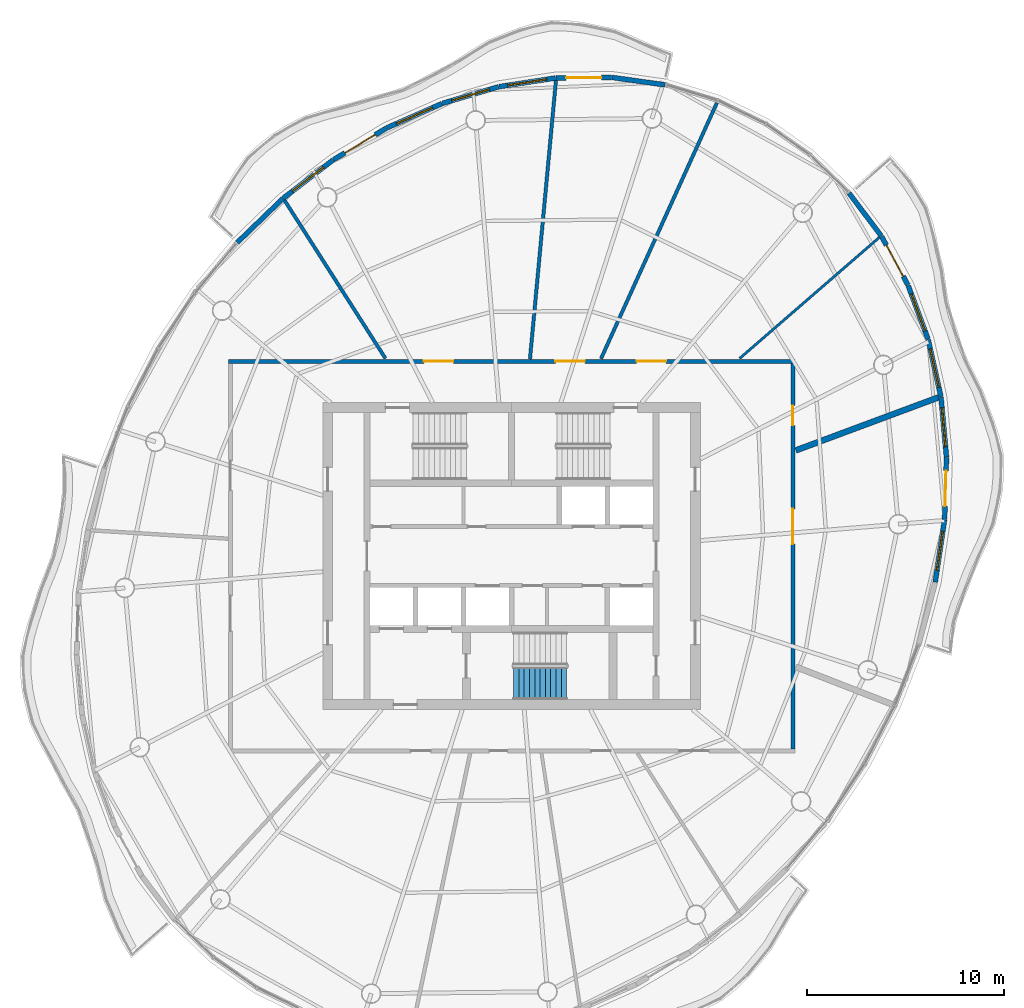
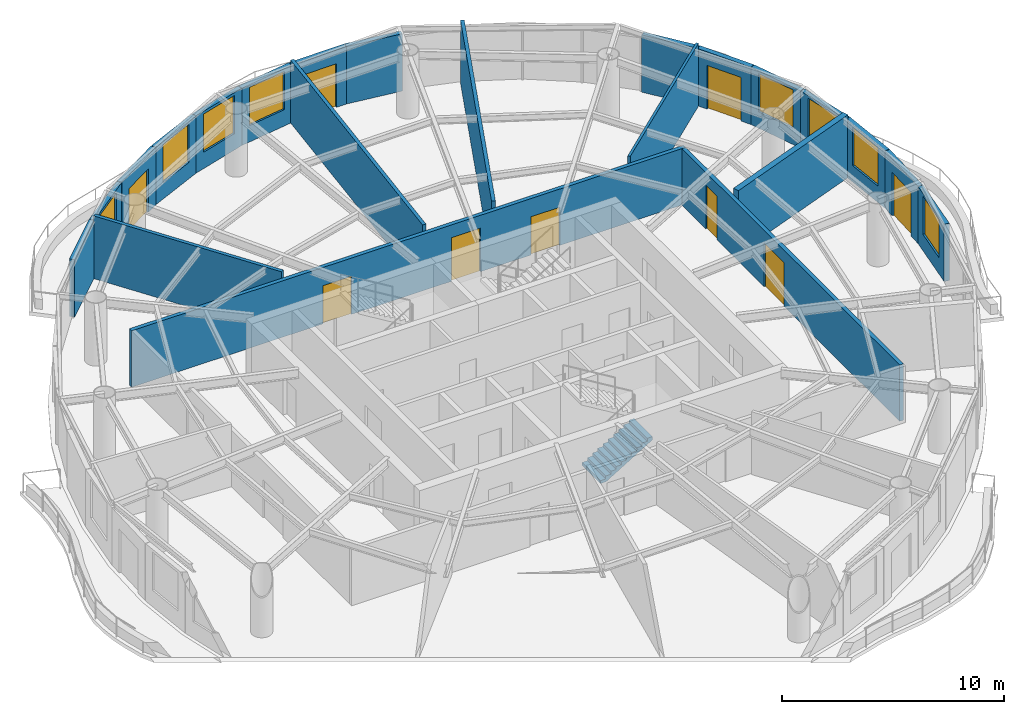
# One storey, part 9 of 13: 22 walls, 9 doors, 8 windows, 1 stair flight, 17 openings, 1 element without a shape of its own.
"""IFC4 building model written with IfcOpenShell, lengths in metres."""

from ifc_helpers import new_model, si_unit, direction, frame, frame_2d, origin, place, context, subcontext, project, spatial, polyline, rectangle, outline, extrude, material, layer, layer_set, type_object, element, fill, aggregate, save


model = new_model("IFC4")

# Units and contexts
model_context = context("Model", 3, precision=1e-05, world=origin(), true_north=direction((0.0, 1.0)))
body_context = subcontext(model_context, "Body", "Model", "MODEL_VIEW")
ifc_project = project(units=[si_unit("LENGTHUNIT", "METRE"), si_unit("AREAUNIT", "SQUARE_METRE"), si_unit("VOLUMEUNIT", "CUBIC_METRE"), si_unit("PLANEANGLEUNIT", "RADIAN"), si_unit("MASSUNIT", "GRAM", prefix="KILO")], contexts=[model_context])

# Site, building, storey
site_placement = place(None, origin())
site = spatial("IfcSite", under=ifc_project, at=site_placement, CompositionType="ELEMENT")
building_placement = place(site_placement, origin())
building = spatial("IfcBuilding", under=site, at=building_placement, Name="Vermilion Reach Broadcast Tower", CompositionType="ELEMENT")
storey_placement = place(building_placement, frame((0.0, 0.0, 272.10009765625)))
storey = spatial("IfcBuildingStorey", under=building, at=storey_placement, Name="L67", CompositionType="ELEMENT", Elevation=272.10009765625)

# Walls
ifc_material_1 = material(Name="Fire-rated plasterboard on steel stud", Category="steel")
ifc_layer_1 = layer(ifc_material_1, 0.125)
ifc_layer_set_1 = layer_set([ifc_layer_1], Name="Partition 125 fire-rated stud")
wall_type_1 = type_object("IfcWallType", Name="Partition 125 fire-rated stud", PredefinedType="PARTITIONING", material=ifc_layer_set_1)
wall_1_placement = place(storey_placement, frame((12.698486328125, 16.20263671875, 0.0), z_axis=(0.0, 0.0, 1.0), x_axis=(-0.75573450221, -0.654878127723, 0.0)))
element("IfcWall", 1, at=wall_1_placement, inside=storey, type_object=wall_type_1, Name="Partition 67.11", PredefinedType="PARTITIONING", context=body_context, shape_type="SweptSolid", body=[
    extrude(rectangle(XDim=9.3994140625, YDim=0.125, at=frame_2d((4.69970703125, 0.0))), origin(), (0.0, 0.0, 1.0), 3.449951171875),
])
ifc_material_2 = material(Name="Fire-rated block, plastered")
ifc_layer_2 = layer(ifc_material_2, 0.175048828125)
ifc_layer_set_2 = layer_set([ifc_layer_2], Name="Partition 175 fire-rated block")
wall_type_2 = type_object("IfcWallType", Name="Partition 175 fire-rated block", PredefinedType="PARTITIONING", material=ifc_layer_set_2)
wall_2_placement = place(storey_placement, frame((4.43798828125, 23.03955078125, 0.0), z_axis=(0.0, 0.0, 1.0), x_axis=(-0.412668744216, -0.910881170926, 0.0)))
element("IfcWall", 2, at=wall_2_placement, inside=storey, type_object=wall_type_2, Name="Partition 67.01", PredefinedType="PARTITIONING", context=body_context, shape_type="SweptSolid", body=[
    extrude(rectangle(XDim=14.275634765625, YDim=0.175048828125, at=frame_2d((7.1376953125, 0.0))), origin(), (0.0, 0.0, 1.0), 3.449951171875),
])
wall_3_placement = place(storey_placement, frame((-3.74267578125, 24.18505859375, 0.0), z_axis=(0.0, 0.0, 1.0), x_axis=(-0.092933304547, -0.995672336116, 0.0)))
element("IfcWall", 3, at=wall_3_placement, inside=storey, type_object=wall_type_2, Name="Partition 67.02", PredefinedType="PARTITIONING", context=body_context, shape_type="SweptSolid", body=[
    extrude(rectangle(XDim=14.238525390625, YDim=0.175048828125, at=frame_2d((7.119140625, 0.0))), origin(), (0.0, 0.0, 1.0), 3.449951171875),
])
wall_4_placement = place(storey_placement, frame((-17.543212890625, 18.087646484375, 0.0), z_axis=(0.0, 0.0, 1.0), x_axis=(0.537968123853, -0.842965181795, 0.0)))
element("IfcWall", 4, at=wall_4_placement, inside=storey, type_object=wall_type_2, Name="Partition 67.03", PredefinedType="PARTITIONING", context=body_context, shape_type="SweptSolid", body=[
    extrude(rectangle(XDim=9.538330078125, YDim=0.175048828125, at=frame_2d((4.76904296875, 0.0))), origin(), (0.0, 0.0, 1.0), 3.449951171875),
])
ifc_material_3 = material(Name="Double-leaf plasterboard on isolated steel stud", Category="steel")
ifc_layer_3 = layer(ifc_material_3, 0.300048828125)
ifc_layer_set_3 = layer_set([ifc_layer_3], Name="Partition 300 acoustic double leaf")
wall_type_3 = type_object("IfcWallType", Name="Partition 300 acoustic double leaf", PredefinedType="PARTITIONING", material=ifc_layer_set_3)
wall_5_placement = place(storey_placement, frame((15.709228515625, 8.071044921875, 0.0), z_axis=(0.0, 0.0, 1.0), x_axis=(-0.937315535256, -0.348481832193, 0.0)))
element("IfcWall", 5, at=wall_5_placement, inside=storey, type_object=wall_type_3, Name="Partition 67.10", PredefinedType="PARTITIONING", context=body_context, shape_type="SweptSolid", body=[
    extrude(rectangle(XDim=7.7421875, YDim=0.300048828125, at=frame_2d((3.87109375, 0.0))), origin(), (0.0, 0.0, 1.0), 3.449951171875),
])
ifc_material_4 = material(Name="Terracotta rainscreen cladding", Category="masonry")
ifc_layer_4 = layer(ifc_material_4, 0.25)
ifc_layer_set_4 = layer_set([ifc_layer_4], Name="Terracotta rainscreen wall 250")
wall_type_4 = type_object("IfcWallType", Name="Terracotta rainscreen wall 250", PredefinedType="SOLIDWALL", material=ifc_layer_set_4)
wall_6_placement = place(storey_placement, frame((1.803466796875, 23.958251953125, 0.0), z_axis=(0.0, 0.0, 1.0), x_axis=(-0.99032300217, 0.138781667998, 0.0)))
element("IfcWall", 6, at=wall_6_placement, inside=storey, type_object=wall_type_4, Name="External wall L67 02", PredefinedType="SOLIDWALL", context=body_context, shape_type="SweptSolid", body=[
    extrude(rectangle(XDim=2.7197265625, YDim=0.25, at=frame_2d((1.35986328125, 0.0))), origin(), (0.0, 0.0, 1.0), 3.14990234375),
])

# Wall, opening, door
wall_7_placement = place(storey_placement, frame((-0.916259765625, 24.33740234375, 0.0), z_axis=(0.0, 0.0, 1.0), x_axis=(-0.999952276814, -0.009769549307, 0.0)))
wall_7 = element("IfcWall", 7, at=wall_7_placement, inside=storey, type_object=wall_type_4, Name="External wall L67 03", PredefinedType="SOLIDWALL", context=body_context, shape_type="SweptSolid", body=[
    extrude(rectangle(XDim=2.823974609375, YDim=0.25, at=frame_2d((1.412109375, 0.0))), origin(), (0.0, 0.0, 1.0), 3.14990234375),
])
opening_1_placement = place(wall_7_placement, frame((0.511962890625, 0.0, 0.0)))
opening_1 = element("IfcOpeningElement", 8, at=opening_1_placement, cuts=wall_7, Name="Opening D70", PredefinedType="OPENING", context=body_context, shape_type="SweptSolid", body=[
    extrude(rectangle(XDim=1.800048828125, YDim=2.39990234375, at=frame_2d((0.89990234375, 1.199951171875))), frame((0.0, 0.135009765625, 0.0), z_axis=(0.0, -1.0, 0.0), x_axis=(1.0, 0.0, 0.0)), (0.0, 0.0, 1.0), 0.27001953125),
])
ifc_material_5 = material(Name="Low-e laminated clear glass in aluminium frame", Category="aluminium")
door_type_1 = type_object("IfcDoorType", Name="Balcony sliding door 1800 x 2400", OperationType="DOUBLE_DOOR_SLIDING", PredefinedType="DOOR", material=ifc_material_5)
door_1_placement = place(opening_1_placement, origin())
door_1 = element("IfcDoor", 9, at=door_1_placement, inside=storey, type_object=door_type_1, Name="Balcony door L67 run 01", OperationType="DOUBLE_DOOR_SLIDING", OverallHeight=2.39990234375, OverallWidth=1.800048828125, PredefinedType="DOOR", context=body_context, shape_type="SweptSolid", body=[
    extrude(rectangle(XDim=1.800048828125, YDim=2.39990234375, at=frame_2d((0.89990234375, 1.199951171875))), frame((0.0, 0.02490234375, 0.0), z_axis=(0.0, -1.0, 0.0), x_axis=(1.0, 0.0, 0.0)), (0.0, 0.0, 1.0), 0.050048828125),
])
fill(opening_1, door_1)

# Wall, opening, window
wall_8_placement = place(storey_placement, frame((-3.765625, 24.3076171875, 0.0), z_axis=(0.0, 0.0, 1.0), x_axis=(-0.988456248217, -0.151506585204, 0.0)))
wall_8 = element("IfcWall", 10, at=wall_8_placement, inside=storey, type_object=wall_type_4, Name="External wall L67 04", PredefinedType="SOLIDWALL", context=body_context, shape_type="SweptSolid", body=[
    extrude(rectangle(XDim=2.89892578125, YDim=0.25, at=frame_2d((1.449462890625, 0.0))), origin(), (0.0, 0.0, 1.0), 3.14990234375),
])
opening_2_placement = place(wall_8_placement, frame((0.449462890625, 0.0, 0.89990234375)))
opening_2 = element("IfcOpeningElement", 11, at=opening_2_placement, cuts=wall_8, Name="Opening W03", PredefinedType="OPENING", context=body_context, shape_type="SweptSolid", body=[
    extrude(rectangle(XDim=2.0, YDim=2.10009765625, at=frame_2d((1.0, 1.050048828125))), frame((0.0, 0.135009765625, 0.0), z_axis=(0.0, -1.0, 0.0), x_axis=(1.0, 0.0, 0.0)), (0.0, 0.0, 1.0), 0.27001953125),
])
ifc_material_6 = material(Name="Low-e laminated clear glass in aluminium frame", Category="aluminium")
window_type = type_object("IfcWindowType", Name="Punched window 2000 x 2100 sill 900", PartitioningType="SINGLE_PANEL", PredefinedType="WINDOW", material=ifc_material_6)
window_1_placement = place(opening_2_placement, origin())
window_1 = element("IfcWindow", 12, at=window_1_placement, inside=storey, type_object=window_type, Name="Window L67 04", OverallHeight=2.10009765625, OverallWidth=2.0, PartitioningType="SINGLE_PANEL", PredefinedType="WINDOW", context=body_context, shape_type="SweptSolid", body=[
    extrude(rectangle(XDim=2.0, YDim=2.10009765625, at=frame_2d((1.0, 1.050048828125))), frame((0.0, 0.030029296875, 0.0), z_axis=(0.0, -1.0, 0.0), x_axis=(1.0, 0.0, 0.0)), (0.0, 0.0, 1.0), 0.06005859375),
])
fill(opening_2, window_1)

wall_9_placement = place(storey_placement, frame((-6.6552734375, 23.863037109375, 0.0), z_axis=(0.0, 0.0, 1.0), x_axis=(-0.958992915497, -0.283430040798, 0.0)))
wall_9 = element("IfcWall", 13, at=wall_9_placement, inside=storey, type_object=wall_type_4, Name="External wall L67 05", PredefinedType="SOLIDWALL", context=body_context, shape_type="SweptSolid", body=[
    extrude(rectangle(XDim=2.98046875, YDim=0.25, at=frame_2d((1.490234375, 0.0))), origin(), (0.0, 0.0, 1.0), 3.14990234375),
])
opening_3_placement = place(wall_9_placement, frame((0.490234375, 0.0, 0.89990234375)))
opening_3 = element("IfcOpeningElement", 14, at=opening_3_placement, cuts=wall_9, Name="Opening W03", PredefinedType="OPENING", context=body_context, shape_type="SweptSolid", body=[
    extrude(rectangle(XDim=2.0, YDim=2.10009765625, at=frame_2d((1.0, 1.050048828125))), frame((0.0, 0.135009765625, 0.0), z_axis=(0.0, -1.0, 0.0), x_axis=(1.0, 0.0, 0.0)), (0.0, 0.0, 1.0), 0.27001953125),
])
window_2_placement = place(opening_3_placement, origin())
window_2 = element("IfcWindow", 15, at=window_2_placement, inside=storey, type_object=window_type, Name="Window L67 05", OverallHeight=2.10009765625, OverallWidth=2.0, PartitioningType="SINGLE_PANEL", PredefinedType="WINDOW", context=body_context, shape_type="SweptSolid", body=[
    extrude(rectangle(XDim=2.0, YDim=2.10009765625, at=frame_2d((1.0, 1.050048828125))), frame((0.0, 0.030029296875, 0.0), z_axis=(0.0, -1.0, 0.0), x_axis=(1.0, 0.0, 0.0)), (0.0, 0.0, 1.0), 0.06005859375),
])
fill(opening_3, window_2)

wall_10_placement = place(storey_placement, frame((-9.535888671875, 23.010009765625, 0.0), z_axis=(0.0, 0.0, 1.0), x_axis=(-0.914844180747, -0.403807039258, 0.0)))
wall_10 = element("IfcWall", 16, at=wall_10_placement, inside=storey, type_object=wall_type_4, Name="External wall L67 06", PredefinedType="SOLIDWALL", context=body_context, shape_type="SweptSolid", body=[
    extrude(rectangle(XDim=3.062255859375, YDim=0.25, at=frame_2d((1.53125, 0.0))), origin(), (0.0, 0.0, 1.0), 3.14990234375),
])
opening_4_placement = place(wall_10_placement, frame((0.531005859375, 0.0, 0.89990234375)))
opening_4 = element("IfcOpeningElement", 17, at=opening_4_placement, cuts=wall_10, Name="Opening W03", PredefinedType="OPENING", context=body_context, shape_type="SweptSolid", body=[
    extrude(rectangle(XDim=2.0, YDim=2.10009765625, at=frame_2d((1.0, 1.050048828125))), frame((0.0, 0.135009765625, 0.0), z_axis=(0.0, -1.0, 0.0), x_axis=(1.0, 0.0, 0.0)), (0.0, 0.0, 1.0), 0.27001953125),
])
window_3_placement = place(opening_4_placement, origin())
window_3 = element("IfcWindow", 18, at=window_3_placement, inside=storey, type_object=window_type, Name="Window L67 06", OverallHeight=2.10009765625, OverallWidth=2.0, PartitioningType="SINGLE_PANEL", PredefinedType="WINDOW", context=body_context, shape_type="SweptSolid", body=[
    extrude(rectangle(XDim=2.0, YDim=2.10009765625, at=frame_2d((1.0, 1.050048828125))), frame((0.0, 0.030029296875, 0.0), z_axis=(0.0, -1.0, 0.0), x_axis=(1.0, 0.0, 0.0)), (0.0, 0.0, 1.0), 0.06005859375),
])
fill(opening_4, window_3)

# Wall, opening, door
wall_11_placement = place(storey_placement, frame((-12.35791015625, 21.762939453125, 0.0), z_axis=(0.0, 0.0, 1.0), x_axis=(-0.858787089802, -0.512332640371, 0.0)))
wall_11 = element("IfcWall", 19, at=wall_11_placement, inside=storey, type_object=wall_type_4, Name="External wall L67 07", PredefinedType="SOLIDWALL", context=body_context, shape_type="SweptSolid", body=[
    extrude(rectangle(XDim=3.139404296875, YDim=0.25, at=frame_2d((1.56982421875, 0.0))), origin(), (0.0, 0.0, 1.0), 3.14990234375),
])
opening_5_placement = place(wall_11_placement, frame((0.669921875, 0.0, 0.0)))
opening_5 = element("IfcOpeningElement", 20, at=opening_5_placement, cuts=wall_11, Name="Opening D70", PredefinedType="OPENING", context=body_context, shape_type="SweptSolid", body=[
    extrude(rectangle(XDim=1.800048828125, YDim=2.39990234375, at=frame_2d((0.89990234375, 1.199951171875))), frame((0.0, 0.135009765625, 0.0), z_axis=(0.0, -1.0, 0.0), x_axis=(1.0, 0.0, 0.0)), (0.0, 0.0, 1.0), 0.27001953125),
])
door_2_placement = place(opening_5_placement, origin())
door_2 = element("IfcDoor", 21, at=door_2_placement, inside=storey, type_object=door_type_1, Name="Balcony door L67 run 02", OperationType="DOUBLE_DOOR_SLIDING", OverallHeight=2.39990234375, OverallWidth=1.800048828125, PredefinedType="DOOR", context=body_context, shape_type="SweptSolid", body=[
    extrude(rectangle(XDim=1.800048828125, YDim=2.39990234375, at=frame_2d((0.89990234375, 1.199951171875))), frame((0.0, 0.02490234375, 0.0), z_axis=(0.0, -1.0, 0.0), x_axis=(1.0, 0.0, 0.0)), (0.0, 0.0, 1.0), 0.050048828125),
])
fill(opening_5, door_2)

# Wall, opening, window
wall_12_placement = place(storey_placement, frame((-15.072509765625, 20.141845703125, 0.0), z_axis=(0.0, 0.0, 1.0), x_axis=(-0.793206691654, -0.608952497586, 0.0)))
wall_12 = element("IfcWall", 22, at=wall_12_placement, inside=storey, type_object=wall_type_4, Name="External wall L67 08", PredefinedType="SOLIDWALL", context=body_context, shape_type="SweptSolid", body=[
    extrude(rectangle(XDim=3.20654296875, YDim=0.25, at=frame_2d((1.603271484375, 0.0))), origin(), (0.0, 0.0, 1.0), 3.14990234375),
])
opening_6_placement = place(wall_12_placement, frame((0.603271484375, 0.0, 0.89990234375)))
opening_6 = element("IfcOpeningElement", 23, at=opening_6_placement, cuts=wall_12, Name="Opening W03", PredefinedType="OPENING", context=body_context, shape_type="SweptSolid", body=[
    extrude(rectangle(XDim=2.0, YDim=2.10009765625, at=frame_2d((1.0, 1.050048828125))), frame((0.0, 0.135009765625, 0.0), z_axis=(0.0, -1.0, 0.0), x_axis=(1.0, 0.0, 0.0)), (0.0, 0.0, 1.0), 0.27001953125),
])
window_4_placement = place(opening_6_placement, origin())
window_4 = element("IfcWindow", 24, at=window_4_placement, inside=storey, type_object=window_type, Name="Window L67 08", OverallHeight=2.10009765625, OverallWidth=2.0, PartitioningType="SINGLE_PANEL", PredefinedType="WINDOW", context=body_context, shape_type="SweptSolid", body=[
    extrude(rectangle(XDim=2.0, YDim=2.10009765625, at=frame_2d((1.0, 1.050048828125))), frame((0.0, 0.030029296875, 0.0), z_axis=(0.0, -1.0, 0.0), x_axis=(1.0, 0.0, 0.0)), (0.0, 0.0, 1.0), 0.06005859375),
])
fill(opening_6, window_4)

# Wall
wall_13_placement = place(storey_placement, frame((-17.6328125, 18.1748046875, 0.0), z_axis=(0.0, 0.0, 1.0), x_axis=(-0.719595006307, -0.694393999757, 0.0)))
element("IfcWall", 25, at=wall_13_placement, inside=storey, type_object=wall_type_4, Name="External wall L67 09", PredefinedType="SOLIDWALL", context=body_context, shape_type="SweptSolid", body=[
    extrude(rectangle(XDim=3.21630859375, YDim=0.25, at=frame_2d((1.608154296875, 0.0))), origin(), (0.0, 0.0, 1.0), 3.14990234375),
])

# Wall, opening, window
wall_14_placement = place(storey_placement, frame((15.541015625, -1.326171875, 0.0), z_axis=(0.0, 0.0, 1.0), x_axis=(0.147409564434, 0.989075538224, 0.0)))
wall_14 = element("IfcWall", 26, at=wall_14_placement, inside=storey, type_object=wall_type_4, Name="External wall L67 39", PredefinedType="SOLIDWALL", context=body_context, shape_type="SweptSolid", body=[
    extrude(rectangle(XDim=3.206298828125, YDim=0.25, at=frame_2d((1.60302734375, 0.0))), origin(), (0.0, 0.0, 1.0), 3.14990234375),
])
opening_7_placement = place(wall_14_placement, frame((0.603271484375, 0.0, 0.89990234375)))
opening_7 = element("IfcOpeningElement", 27, at=opening_7_placement, cuts=wall_14, Name="Opening W03", PredefinedType="OPENING", context=body_context, shape_type="SweptSolid", body=[
    extrude(rectangle(XDim=2.0, YDim=2.10009765625, at=frame_2d((1.0, 1.050048828125))), frame((0.0, 0.135009765625, 0.0), z_axis=(0.0, -1.0, 0.0), x_axis=(1.0, 0.0, 0.0)), (0.0, 0.0, 1.0), 0.27001953125),
])
window_5_placement = place(opening_7_placement, origin())
window_5 = element("IfcWindow", 28, at=window_5_placement, inside=storey, type_object=window_type, Name="Window L67 39", OverallHeight=2.10009765625, OverallWidth=2.0, PartitioningType="SINGLE_PANEL", PredefinedType="WINDOW", context=body_context, shape_type="SweptSolid", body=[
    extrude(rectangle(XDim=2.0, YDim=2.10009765625, at=frame_2d((1.0, 1.050048828125))), frame((0.0, 0.030029296875, 0.0), z_axis=(0.0, -1.0, 0.0), x_axis=(1.0, 0.0, 0.0)), (0.0, 0.0, 1.0), 0.06005859375),
])
fill(opening_7, window_5)

# Wall, opening, door
wall_15_placement = place(storey_placement, frame((16.015625, 1.86767578125, 0.0), z_axis=(0.0, 0.0, 1.0), x_axis=(0.031030800892, 0.999518428743, 0.0)))
wall_15 = element("IfcWall", 29, at=wall_15_placement, inside=storey, type_object=wall_type_4, Name="External wall L67 40", PredefinedType="SOLIDWALL", context=body_context, shape_type="SweptSolid", body=[
    extrude(rectangle(XDim=3.13916015625, YDim=0.25, at=frame_2d((1.569580078125, 0.0))), origin(), (0.0, 0.0, 1.0), 3.14990234375),
])
opening_8_placement = place(wall_15_placement, frame((0.669921875, 0.0, 0.0)))
opening_8 = element("IfcOpeningElement", 30, at=opening_8_placement, cuts=wall_15, Name="Opening D70", PredefinedType="OPENING", context=body_context, shape_type="SweptSolid", body=[
    extrude(rectangle(XDim=1.800048828125, YDim=2.39990234375, at=frame_2d((0.89990234375, 1.199951171875))), frame((0.0, 0.135009765625, 0.0), z_axis=(0.0, -1.0, 0.0), x_axis=(1.0, 0.0, 0.0)), (0.0, 0.0, 1.0), 0.27001953125),
])
door_3_placement = place(opening_8_placement, origin())
door_3 = element("IfcDoor", 31, at=door_3_placement, inside=storey, type_object=door_type_1, Name="Balcony door L67 run 10", OperationType="DOUBLE_DOOR_SLIDING", OverallHeight=2.39990234375, OverallWidth=1.800048828125, PredefinedType="DOOR", context=body_context, shape_type="SweptSolid", body=[
    extrude(rectangle(XDim=1.800048828125, YDim=2.39990234375, at=frame_2d((0.89990234375, 1.199951171875))), frame((0.0, 0.02490234375, 0.0), z_axis=(0.0, -1.0, 0.0), x_axis=(1.0, 0.0, 0.0)), (0.0, 0.0, 1.0), 0.050048828125),
])
fill(opening_8, door_3)

# Wall, opening, window
wall_16_placement = place(storey_placement, frame((16.1123046875, 5.02880859375, 0.0), z_axis=(0.0, 0.0, 1.0), x_axis=(-0.090974263514, 0.995853243896, 0.0)))
wall_16 = element("IfcWall", 32, at=wall_16_placement, inside=storey, type_object=wall_type_4, Name="External wall L67 41", PredefinedType="SOLIDWALL", context=body_context, shape_type="SweptSolid", body=[
    extrude(rectangle(XDim=3.06201171875, YDim=0.25, at=frame_2d((1.531005859375, 0.0))), origin(), (0.0, 0.0, 1.0), 3.14990234375),
])
opening_9_placement = place(wall_16_placement, frame((0.531005859375, 0.0, 0.89990234375)))
opening_9 = element("IfcOpeningElement", 33, at=opening_9_placement, cuts=wall_16, Name="Opening W03", PredefinedType="OPENING", context=body_context, shape_type="SweptSolid", body=[
    extrude(rectangle(XDim=2.0, YDim=2.10009765625, at=frame_2d((1.0, 1.050048828125))), frame((0.0, 0.135009765625, 0.0), z_axis=(0.0, -1.0, 0.0), x_axis=(1.0, 0.0, 0.0)), (0.0, 0.0, 1.0), 0.27001953125),
])
window_6_placement = place(opening_9_placement, origin())
window_6 = element("IfcWindow", 34, at=window_6_placement, inside=storey, type_object=window_type, Name="Window L67 41", OverallHeight=2.10009765625, OverallWidth=2.0, PartitioningType="SINGLE_PANEL", PredefinedType="WINDOW", context=body_context, shape_type="SweptSolid", body=[
    extrude(rectangle(XDim=2.0, YDim=2.10009765625, at=frame_2d((1.0, 1.050048828125))), frame((0.0, 0.030029296875, 0.0), z_axis=(0.0, -1.0, 0.0), x_axis=(1.0, 0.0, 0.0)), (0.0, 0.0, 1.0), 0.06005859375),
])
fill(opening_9, window_6)

wall_17_placement = place(storey_placement, frame((15.830078125, 8.101806640625, 0.0), z_axis=(0.0, 0.0, 1.0), x_axis=(-0.217728327431, 0.976009413599, 0.0)))
wall_17 = element("IfcWall", 35, at=wall_17_placement, inside=storey, type_object=wall_type_4, Name="External wall L67 42", PredefinedType="SOLIDWALL", context=body_context, shape_type="SweptSolid", body=[
    extrude(rectangle(XDim=2.98046875, YDim=0.25, at=frame_2d((1.490234375, 0.0))), origin(), (0.0, 0.0, 1.0), 3.14990234375),
])
opening_10_placement = place(wall_17_placement, frame((0.490234375, 0.0, 0.89990234375)))
opening_10 = element("IfcOpeningElement", 36, at=opening_10_placement, cuts=wall_17, Name="Opening W03", PredefinedType="OPENING", context=body_context, shape_type="SweptSolid", body=[
    extrude(rectangle(XDim=2.0, YDim=2.10009765625, at=frame_2d((1.0, 1.050048828125))), frame((0.0, 0.135009765625, 0.0), z_axis=(0.0, -1.0, 0.0), x_axis=(1.0, 0.0, 0.0)), (0.0, 0.0, 1.0), 0.27001953125),
])
window_7_placement = place(opening_10_placement, origin())
window_7 = element("IfcWindow", 37, at=window_7_placement, inside=storey, type_object=window_type, Name="Window L67 42", OverallHeight=2.10009765625, OverallWidth=2.0, PartitioningType="SINGLE_PANEL", PredefinedType="WINDOW", context=body_context, shape_type="SweptSolid", body=[
    extrude(rectangle(XDim=2.0, YDim=2.10009765625, at=frame_2d((1.0, 1.050048828125))), frame((0.0, 0.030029296875, 0.0), z_axis=(0.0, -1.0, 0.0), x_axis=(1.0, 0.0, 0.0)), (0.0, 0.0, 1.0), 0.06005859375),
])
fill(opening_10, window_7)

wall_18_placement = place(storey_placement, frame((15.174072265625, 11.034423828125, 0.0), z_axis=(0.0, 0.0, 1.0), x_axis=(-0.347382924833, 0.937723361943, 0.0)))
wall_18 = element("IfcWall", 38, at=wall_18_placement, inside=storey, type_object=wall_type_4, Name="External wall L67 43", PredefinedType="SOLIDWALL", context=body_context, shape_type="SweptSolid", body=[
    extrude(rectangle(XDim=2.899169921875, YDim=0.25, at=frame_2d((1.44970703125, 0.0))), origin(), (0.0, 0.0, 1.0), 3.14990234375),
])
opening_11_placement = place(wall_18_placement, frame((0.449462890625, 0.0, 0.89990234375)))
opening_11 = element("IfcOpeningElement", 39, at=opening_11_placement, cuts=wall_18, Name="Opening W03", PredefinedType="OPENING", context=body_context, shape_type="SweptSolid", body=[
    extrude(rectangle(XDim=2.0, YDim=2.10009765625, at=frame_2d((1.0, 1.050048828125))), frame((0.0, 0.135009765625, 0.0), z_axis=(0.0, -1.0, 0.0), x_axis=(1.0, 0.0, 0.0)), (0.0, 0.0, 1.0), 0.27001953125),
])
window_8_placement = place(opening_11_placement, origin())
window_8 = element("IfcWindow", 40, at=window_8_placement, inside=storey, type_object=window_type, Name="Window L67 43", OverallHeight=2.10009765625, OverallWidth=2.0, PartitioningType="SINGLE_PANEL", PredefinedType="WINDOW", context=body_context, shape_type="SweptSolid", body=[
    extrude(rectangle(XDim=2.0, YDim=2.10009765625, at=frame_2d((1.0, 1.050048828125))), frame((0.0, 0.030029296875, 0.0), z_axis=(0.0, -1.0, 0.0), x_axis=(1.0, 0.0, 0.0)), (0.0, 0.0, 1.0), 0.06005859375),
])
fill(opening_11, window_8)

# Wall, opening, door
wall_19_placement = place(storey_placement, frame((14.156494140625, 13.7763671875, 0.0), z_axis=(0.0, 0.0, 1.0), x_axis=(-0.476845701511, 0.878987017509, 0.0)))
wall_19 = element("IfcWall", 41, at=wall_19_placement, inside=storey, type_object=wall_type_4, Name="External wall L67 44", PredefinedType="SOLIDWALL", context=body_context, shape_type="SweptSolid", body=[
    extrude(rectangle(XDim=2.82373046875, YDim=0.25, at=frame_2d((1.411865234375, 0.0))), origin(), (0.0, 0.0, 1.0), 3.14990234375),
])
opening_12_placement = place(wall_19_placement, frame((0.511962890625, 0.0, 0.0)))
opening_12 = element("IfcOpeningElement", 42, at=opening_12_placement, cuts=wall_19, Name="Opening D70", PredefinedType="OPENING", context=body_context, shape_type="SweptSolid", body=[
    extrude(rectangle(XDim=1.800048828125, YDim=2.39990234375, at=frame_2d((0.89990234375, 1.199951171875))), frame((0.0, 0.135009765625, 0.0), z_axis=(0.0, -1.0, 0.0), x_axis=(1.0, 0.0, 0.0)), (0.0, 0.0, 1.0), 0.27001953125),
])
door_4_placement = place(opening_12_placement, origin())
door_4 = element("IfcDoor", 43, at=door_4_placement, inside=storey, type_object=door_type_1, Name="Balcony door L67 run 11", OperationType="DOUBLE_DOOR_SLIDING", OverallHeight=2.39990234375, OverallWidth=1.800048828125, PredefinedType="DOOR", context=body_context, shape_type="SweptSolid", body=[
    extrude(rectangle(XDim=1.800048828125, YDim=2.39990234375, at=frame_2d((0.89990234375, 1.199951171875))), frame((0.0, 0.02490234375, 0.0), z_axis=(0.0, -1.0, 0.0), x_axis=(1.0, 0.0, 0.0)), (0.0, 0.0, 1.0), 0.050048828125),
])
fill(opening_12, door_4)

# Wall
wall_20_placement = place(storey_placement, frame((12.795654296875, 16.28076171875, 0.0), z_axis=(0.0, 0.0, 1.0), x_axis=(-0.602094992284, 0.798424461215, 0.0)))
element("IfcWall", 44, at=wall_20_placement, inside=storey, type_object=wall_type_4, Name="External wall L67 45", PredefinedType="SOLIDWALL", context=body_context, shape_type="SweptSolid", body=[
    extrude(rectangle(XDim=2.719482421875, YDim=0.25, at=frame_2d((1.35986328125, 0.0))), origin(), (0.0, 0.0, 1.0), 3.14990234375),
])

# Wall, openings, doors
ifc_material_7 = material(Name="Fire-rated gypsum board partition")
ifc_layer_5 = layer(ifc_material_7, 0.199951171875)
ifc_layer_set_5 = layer_set([ifc_layer_5], Name="Under girder: Corridor wall 200 fire-rated")
wall_type_5 = type_object("IfcWallType", Name="Under girder: Corridor wall 200 fire-rated", PredefinedType="PARTITIONING", material=ifc_layer_set_5)
wall_21_placement = place(storey_placement, frame((-20.39990234375, 9.89990234375, 0.0), z_axis=(0.0, 0.0, 1.0), x_axis=(1.0, 0.0, 0.0)))
wall_21 = element("IfcWall", 45, at=wall_21_placement, inside=storey, type_object=wall_type_5, Name="Corridor wall 67.N", PredefinedType="PARTITIONING", context=body_context, shape_type="SweptSolid", body=[
    extrude(rectangle(XDim=28.7998046875, YDim=0.199951171875, at=frame_2d((14.39990234375, 0.0))), origin(), (0.0, 0.0, 1.0), 3.099853515625),
])
opening_13_placement = place(wall_21_placement, frame((16.626220703125, 0.0, 0.0)))
opening_13 = element("IfcOpeningElement", 46, at=opening_13_placement, cuts=wall_21, Name="Opening D25", PredefinedType="OPENING", context=body_context, shape_type="SweptSolid", body=[
    extrude(rectangle(XDim=1.5, YDim=2.39990234375, at=frame_2d((0.75, 1.199951171875))), frame((0.0, 0.10986328125, 0.0), z_axis=(0.0, -1.0, 0.0), x_axis=(1.0, 0.0, 0.0)), (0.0, 0.0, 1.0), 0.219970703125),
])
opening_14_placement = place(wall_21_placement, frame((9.937744140625, 0.0, 0.0)))
opening_14 = element("IfcOpeningElement", 47, at=opening_14_placement, cuts=wall_21, Name="Opening D24", PredefinedType="OPENING", context=body_context, shape_type="SweptSolid", body=[
    extrude(rectangle(XDim=1.5, YDim=2.10009765625, at=frame_2d((0.75, 1.050048828125))), frame((0.0, 0.10986328125, 0.0), z_axis=(0.0, -1.0, 0.0), x_axis=(1.0, 0.0, 0.0)), (0.0, 0.0, 1.0), 0.219970703125),
])
opening_15_placement = place(wall_21_placement, frame((20.75830078125, 0.0, 0.0)))
opening_15 = element("IfcOpeningElement", 48, at=opening_15_placement, cuts=wall_21, Name="Opening D24", PredefinedType="OPENING", context=body_context, shape_type="SweptSolid", body=[
    extrude(rectangle(XDim=1.5, YDim=2.10009765625, at=frame_2d((0.75, 1.050048828125))), frame((0.0, 0.10986328125, 0.0), z_axis=(0.0, -1.0, 0.0), x_axis=(1.0, 0.0, 0.0)), (0.0, 0.0, 1.0), 0.219970703125),
])
ifc_material_8 = material(Name="Timber door leaf", Category="wood")
door_type_2 = type_object("IfcDoorType", Name="Door pair 1500x2100", OperationType="NOTDEFINED", PredefinedType="DOOR", material=ifc_material_8)
door_5_placement = place(opening_14_placement, origin())
door_5 = element("IfcDoor", 49, at=door_5_placement, inside=storey, type_object=door_type_2, Name="Door 67.02", OperationType="DOUBLE_DOOR_SINGLE_SWING", OverallHeight=2.10009765625, OverallWidth=1.5, PredefinedType="DOOR", context=body_context, shape_type="SweptSolid", body=[
    extrude(rectangle(XDim=1.5, YDim=2.10009765625, at=frame_2d((0.75, 1.050048828125))), frame((0.0, 0.02490234375, 0.0), z_axis=(0.0, -1.0, 0.0), x_axis=(1.0, 0.0, 0.0)), (0.0, 0.0, 1.0), 0.050048828125),
])
fill(opening_14, door_5)
door_6_placement = place(opening_15_placement, origin())
door_6 = element("IfcDoor", 50, at=door_6_placement, inside=storey, type_object=door_type_2, Name="Door 67.11", OperationType="DOUBLE_DOOR_SINGLE_SWING", OverallHeight=2.10009765625, OverallWidth=1.5, PredefinedType="DOOR", context=body_context, shape_type="SweptSolid", body=[
    extrude(rectangle(XDim=1.5, YDim=2.10009765625, at=frame_2d((0.75, 1.050048828125))), frame((0.0, 0.02490234375, 0.0), z_axis=(0.0, -1.0, 0.0), x_axis=(1.0, 0.0, 0.0)), (0.0, 0.0, 1.0), 0.050048828125),
])
fill(opening_15, door_6)
ifc_material_9 = material(Name="Glazed timber door leaf", Category="wood")
door_type_3 = type_object("IfcDoorType", Name="Door pair 1500x2400", OperationType="NOTDEFINED", PredefinedType="DOOR", material=ifc_material_9)
door_7_placement = place(opening_13_placement, origin())
door_7 = element("IfcDoor", 51, at=door_7_placement, inside=storey, type_object=door_type_3, Name="Door 67.01", OperationType="DOUBLE_DOOR_SINGLE_SWING", OverallHeight=2.39990234375, OverallWidth=1.5, PredefinedType="DOOR", context=body_context, shape_type="SweptSolid", body=[
    extrude(rectangle(XDim=1.5, YDim=2.39990234375, at=frame_2d((0.75, 1.199951171875))), frame((0.0, 0.02490234375, 0.0), z_axis=(0.0, -1.0, 0.0), x_axis=(1.0, 0.0, 0.0)), (0.0, 0.0, 1.0), 0.050048828125),
])
fill(opening_13, door_7)

wall_22_placement = place(storey_placement, frame((8.300048828125, 9.800048828125, 0.0), z_axis=(0.0, 0.0, 1.0), x_axis=(0.0, -1.0, 0.0)))
wall_22 = element("IfcWall", 52, at=wall_22_placement, inside=storey, type_object=wall_type_5, Name="Corridor wall 67.E", PredefinedType="PARTITIONING", context=body_context, shape_type="SweptSolid", body=[
    extrude(rectangle(XDim=19.60009765625, YDim=0.199951171875, at=frame_2d((9.800048828125, 0.0))), origin(), (0.0, 0.0, 1.0), 3.099853515625),
])
opening_16_placement = place(wall_22_placement, frame((7.39599609375, 0.0, 0.0)))
opening_16 = element("IfcOpeningElement", 53, at=opening_16_placement, cuts=wall_22, Name="Opening D27", PredefinedType="OPENING", context=body_context, shape_type="SweptSolid", body=[
    extrude(rectangle(XDim=1.800048828125, YDim=2.39990234375, at=frame_2d((0.89990234375, 1.199951171875))), frame((0.0, 0.10986328125, 0.0), z_axis=(0.0, -1.0, 0.0), x_axis=(1.0, 0.0, 0.0)), (0.0, 0.0, 1.0), 0.219970703125),
])
opening_17_placement = place(wall_22_placement, frame((2.152587890625, 0.0, 0.0)))
opening_17 = element("IfcOpeningElement", 54, at=opening_17_placement, cuts=wall_22, Name="Opening D23", PredefinedType="OPENING", context=body_context, shape_type="SweptSolid", body=[
    extrude(rectangle(XDim=1.0, YDim=2.39990234375, at=frame_2d((0.5, 1.199951171875))), frame((0.0, 0.10986328125, 0.0), z_axis=(0.0, -1.0, 0.0), x_axis=(1.0, 0.0, 0.0)), (0.0, 0.0, 1.0), 0.219970703125),
])
ifc_material_10 = material(Name="Acoustic timber door leaf", Category="wood")
door_type_4 = type_object("IfcDoorType", Name="Door pair 1800x2400", OperationType="NOTDEFINED", PredefinedType="DOOR", material=ifc_material_10)
door_8_placement = place(opening_16_placement, origin())
door_8 = element("IfcDoor", 55, at=door_8_placement, inside=storey, type_object=door_type_4, Name="Door 67.09", OperationType="DOUBLE_DOOR_SINGLE_SWING", OverallHeight=2.39990234375, OverallWidth=1.800048828125, PredefinedType="DOOR", context=body_context, shape_type="SweptSolid", body=[
    extrude(rectangle(XDim=1.800048828125, YDim=2.39990234375, at=frame_2d((0.89990234375, 1.199951171875))), frame((0.0, 0.02490234375, 0.0), z_axis=(0.0, -1.0, 0.0), x_axis=(1.0, 0.0, 0.0)), (0.0, 0.0, 1.0), 0.050048828125),
])
fill(opening_16, door_8)
ifc_material_11 = material(Name="Veneered timber door leaf", Category="wood")
door_type_5 = type_object("IfcDoorType", Name="Door single 1000x2400", OperationType="NOTDEFINED", PredefinedType="DOOR", material=ifc_material_11)
door_9_placement = place(opening_17_placement, origin())
door_9 = element("IfcDoor", 56, at=door_9_placement, inside=storey, type_object=door_type_5, Name="Door 67.10", OperationType="SINGLE_SWING_RIGHT", OverallHeight=2.39990234375, OverallWidth=1.0, PredefinedType="DOOR", context=body_context, shape_type="SweptSolid", body=[
    extrude(rectangle(XDim=1.0, YDim=2.39990234375, at=frame_2d((0.5, 1.199951171875))), frame((0.0, 0.02490234375, 0.0), z_axis=(0.0, -1.0, 0.0), x_axis=(1.0, 0.0, 0.0)), (0.0, 0.0, 1.0), 0.050048828125),
])
fill(opening_17, door_9)

# Stair, stair flight
ifc_material_12 = material(Name="Concrete C40", Category="concrete")
stair_type = type_object("IfcStairType", Name="Exit stair RC 22 risers 164 mm", PredefinedType="HALF_TURN_STAIR", material=ifc_material_12)
stair_placement = place(storey_placement, origin())
stair = element("IfcStair", 57, at=stair_placement, inside=storey, type_object=stair_type, Name="L67 Exit stair ST3", PredefinedType="HALF_TURN_STAIR")
ifc_material_13 = material(Name="Concrete C40", Category="concrete")
stair_flight_type = type_object("IfcStairFlightType", Name="Exit stair flight RC 11 risers", PredefinedType="STRAIGHT", material=ifc_material_13)
stair_flight_placement = place(storey_placement, frame((-5.89990234375, -6.469970703125, 0.0), z_axis=(0.0, 0.0, 1.0), x_axis=(1.0, 0.0, 0.0)))
stair_flight = element("IfcStairFlight", 58, at=stair_flight_placement, type_object=stair_flight_type, Name="ST3 flight 1", NumberOfRisers=11, NumberOfTreads=10, PredefinedType="STRAIGHT", RiserHeight=0.163636364, TreadLength=0.27, context=body_context, shape_type="SweptSolid", body=[
    extrude(outline(polyline([(0.0, 0.0), (0.0, 0.16357421875), (0.27001953125, 0.16357421875), (0.27001953125, 0.327392578125), (0.5400390625, 0.327392578125), (0.5400390625, 0.490966796875), (0.81005859375, 0.490966796875), (0.81005859375, 0.654541015625), (1.080078125, 0.654541015625), (1.080078125, 0.818115234375), (1.35009765625, 0.818115234375), (1.35009765625, 0.98193359375), (1.6201171875, 0.98193359375), (1.6201171875, 1.1455078125), (1.889892578125, 1.1455078125), (1.889892578125, 1.30908203125), (2.159912109375, 1.30908203125), (2.159912109375, 1.47265625), (2.429931640625, 1.47265625), (2.429931640625, 1.636474609375), (2.699951171875, 1.636474609375), (2.699951171875, 1.800048828125), (2.699951171875, 1.461181640625), (0.289306640625, 0.0), (0.0, 0.0)])), frame((0.0, 0.830078125, 0.0), z_axis=(0.0, -1.0, 0.0), x_axis=(1.0, 0.0, 0.0)), (0.0, 0.0, 1.0), 1.659912109375),
])
aggregate(stair, [stair_flight])

save(model, "model.ifc")
